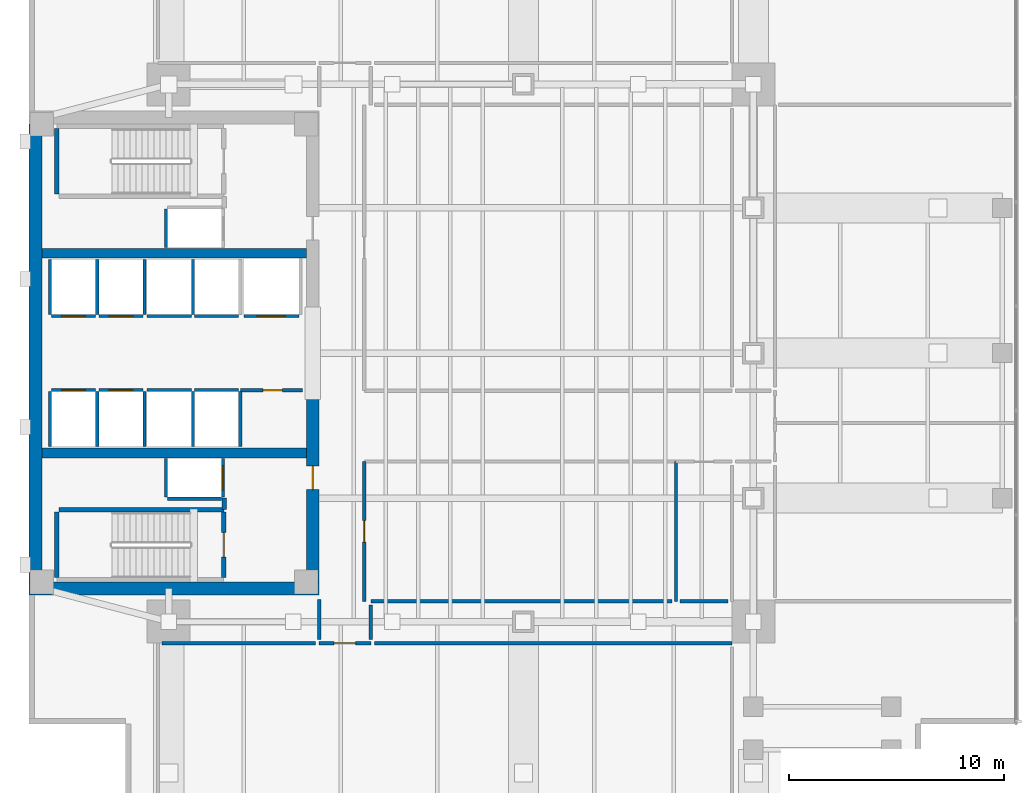
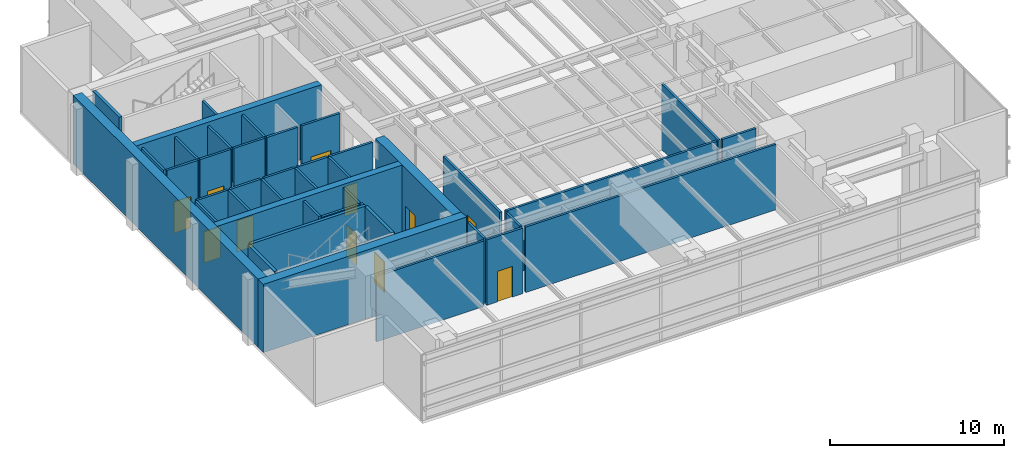
# One storey, part 8 of 14: 42 walls, 11 doors, 11 openings.
"""IFC4 building model written with IfcOpenShell, lengths in metres."""

from ifc_helpers import new_model, si_unit, direction, frame, frame_2d, origin, place, context, subcontext, project, spatial, rectangle, extrude, material, layer, layer_set, type_object, element, fill, save


model = new_model("IFC4")

# Units and contexts
model_context = context("Model", 3, precision=1e-05, world=origin(), true_north=direction((0.0, 1.0)))
body_context = subcontext(model_context, "Body", "Model", "MODEL_VIEW")
ifc_project = project(units=[si_unit("LENGTHUNIT", "METRE"), si_unit("AREAUNIT", "SQUARE_METRE"), si_unit("VOLUMEUNIT", "CUBIC_METRE"), si_unit("PLANEANGLEUNIT", "RADIAN"), si_unit("MASSUNIT", "GRAM", prefix="KILO")], contexts=[model_context])

# Site, building, storey
site_placement = place(None, origin())
site = spatial("IfcSite", under=ifc_project, at=site_placement, CompositionType="ELEMENT")
building_placement = place(site_placement, origin())
building = spatial("IfcBuilding", under=site, at=building_placement, Name="Kinhvarn Gate Tower", CompositionType="ELEMENT")
storey_placement = place(building_placement, frame((0.0, 0.0, 173.25)))
storey = spatial("IfcBuildingStorey", under=building, at=storey_placement, Name="L46", CompositionType="ELEMENT", Elevation=173.25)

# Walls
ifc_material_1 = material(Name="Concrete C50/60", Category="concrete")
ifc_layer_1 = layer(ifc_material_1, 0.449951171875)
ifc_layer_set_1 = layer_set([ifc_layer_1], Name="Concrete C50/60")
wall_type_1 = type_object("IfcWallType", Name="WL-CORE-450", PredefinedType="SHEAR", material=ifc_layer_set_1)
for number, where, z_axis, x_axis, name in (
    (1, (5.10009765625, 20.60009765625, 0.0), (0.0, 0.0, 1.0), (1.0, 0.0, 0.0), "Core South Spine Shear Wall L46 450 mm"),
    (2, (5.10009765625, 29.89990234375, 0.0), (0.0, 0.0, 1.0), (1.0, 0.0, 0.0), "Core North Spine Shear Wall L46 450 mm"),
):
    element("IfcWall", number, at=place(storey_placement, frame(where, z_axis=z_axis, x_axis=x_axis)), inside=storey, type_object=wall_type_1, Name=name, PredefinedType="SHEAR", context=body_context, shape_type="SweptSolid", body=[
        extrude(rectangle(XDim=12.2998046875, YDim=0.449951171875, at=frame_2d((6.14990234375, 0.0))), origin(), (0.0, 0.0, 1.0), 4.800048828125),
    ])
ifc_material_2 = material(Name="Concrete C60/75", Category="concrete")
ifc_layer_2 = layer(ifc_material_2, 0.60009765625)
ifc_layer_set_2 = layer_set([ifc_layer_2], Name="Concrete C60/75")
wall_type_2 = type_object("IfcWallType", Name="WL-CORE-600", PredefinedType="SHEAR", material=ifc_layer_set_2)
wall_1_placement = place(storey_placement, frame((4.5, 14.300048828125, 0.0), z_axis=(0.0, 0.0, 1.0), x_axis=(1.0, 0.0, 0.0)))
element("IfcWall", 3, at=wall_1_placement, inside=storey, type_object=wall_type_2, Name="Core South Shear Wall L46 600 mm", PredefinedType="SHEAR", context=body_context, shape_type="SweptSolid", body=[
    extrude(rectangle(XDim=13.5, YDim=0.60009765625, at=frame_2d((6.75, 0.0))), origin(), (0.0, 0.0, 1.0), 4.800048828125),
])

# Wall, opening, door
wall_2_placement = place(storey_placement, frame((17.699951171875, 14.60009765625, 0.0), z_axis=(0.0, 0.0, 1.0), x_axis=(0.0, 1.0, 0.0)))
wall_2 = element("IfcWall", 4, at=wall_2_placement, inside=storey, type_object=wall_type_2, Name="Core East-South Shear Pier L46 600 mm", PredefinedType="SHEAR", context=body_context, shape_type="SweptSolid", body=[
    extrude(rectangle(XDim=8.849853515625, YDim=0.60009765625, at=frame_2d((4.4248046875, 0.0))), origin(), (0.0, 0.0, 1.0), 4.800048828125),
])
opening_1_placement = place(wall_2_placement, frame((4.300048828125, 0.0, 0.0)))
opening_1 = element("IfcOpeningElement", 5, at=opening_1_placement, cuts=wall_2, Name="Opening FD-02", PredefinedType="OPENING", context=body_context, shape_type="SweptSolid", body=[
    extrude(rectangle(XDim=1.10009765625, YDim=2.14990234375, at=frame_2d((0.550048828125, 1.074951171875))), frame((0.0, 0.31005859375, 0.0), z_axis=(0.0, -1.0, 0.0), x_axis=(1.0, 0.0, 0.0)), (0.0, 0.0, 1.0), 0.6201171875),
])
ifc_material_3 = material(Name="Anodised aluminium AW-6063", Category="aluminium")
door_type_1 = type_object("IfcDoorType", Name="DR-FD-1100", OperationType="NOTDEFINED", PredefinedType="DOOR", material=ifc_material_3)
door_1_placement = place(opening_1_placement, origin())
door_1 = element("IfcDoor", 6, at=door_1_placement, inside=storey, type_object=door_type_1, Name="Firefighting Lobby Core Door (L46)", OperationType="SINGLE_SWING_RIGHT", OverallHeight=2.14990234375, OverallWidth=1.10009765625, PredefinedType="DOOR", context=body_context, shape_type="SweptSolid", body=[
    extrude(rectangle(XDim=1.10009765625, YDim=2.14990234375, at=frame_2d((0.550048828125, 1.074951171875))), frame((0.0, 0.02490234375, 0.0), z_axis=(0.0, -1.0, 0.0), x_axis=(1.0, 0.0, 0.0)), (0.0, 0.0, 1.0), 0.050048828125),
])
fill(opening_1, door_1)

# Walls
ifc_layer_3 = layer(ifc_material_2, 0.60009765625)
ifc_layer_set_3 = layer_set([ifc_layer_3], Name="Concrete C60/75")
wall_type_3 = type_object("IfcWallType", Name="WL-COREX-600", PredefinedType="SHEAR", material=ifc_layer_set_3)
wall_3_placement = place(storey_placement, frame((4.800048828125, 14.60009765625, 0.0), z_axis=(0.0, 0.0, 1.0), x_axis=(0.0, 1.0, 0.0)))
element("IfcWall", 7, at=wall_3_placement, inside=storey, type_object=wall_type_3, Name="Core West Shear Wall L46 600 mm", PredefinedType="SHEAR", context=body_context, shape_type="SweptSolid", body=[
    extrude(rectangle(XDim=21.2998046875, YDim=0.60009765625, at=frame_2d((10.64990234375, 0.0))), origin(), (0.0, 0.0, 1.0), 4.800048828125),
])
ifc_material_4 = material(Name="Gypsum acoustic partition board")
ifc_layer_4 = layer(ifc_material_4, 0.14990234375)
ifc_layer_set_4 = layer_set([ifc_layer_4], Name="Gypsum acoustic partition board")
wall_type_4 = type_object("IfcWallType", Name="WL-PLM-150", PredefinedType="PLUMBINGWALL", material=ifc_layer_set_4)
wall_4_placement = place(storey_placement, frame((34.60009765625, 13.699951171875, 0.0), z_axis=(0.0, 0.0, 1.0), x_axis=(0.0, 1.0, 0.0)))
element("IfcWall", 8, at=wall_4_placement, inside=storey, type_object=wall_type_4, Name="Interior Partition PLW-150 (L46)", PredefinedType="PLUMBINGWALL", context=body_context, shape_type="SweptSolid", body=[
    extrude(rectangle(XDim=6.5, YDim=0.14990234375, at=frame_2d((3.25, 0.0))), origin(), (0.0, 0.0, 1.0), 4.60009765625),
])

# Wall, opening, door
ifc_layer_5 = layer(ifc_material_4, 0.14990234375)
ifc_layer_set_5 = layer_set([ifc_layer_5], Name="Gypsum acoustic partition board")
wall_type_5 = type_object("IfcWallType", Name="WL-PRT-150F", PredefinedType="PARTITIONING", material=ifc_layer_set_5)
wall_5_placement = place(storey_placement, frame((14.330078125, 23.52001953125, 0.0), z_axis=(0.0, 0.0, 1.0), x_axis=(1.0, 0.0, 0.0)))
wall_5 = element("IfcWall", 9, at=wall_5_placement, inside=storey, type_object=wall_type_5, Name="Interior Partition PW-150F (L46)", PredefinedType="PARTITIONING", context=body_context, shape_type="SweptSolid", body=[
    extrude(rectangle(XDim=2.889892578125, YDim=0.14990234375, at=frame_2d((1.44482421875, 0.0))), origin(), (0.0, 0.0, 1.0), 4.60009765625),
])
opening_2_placement = place(wall_5_placement, frame((1.052734375, 0.0, 0.0)))
opening_2 = element("IfcOpeningElement", 10, at=opening_2_placement, cuts=wall_5, Name="Opening FD-04", PredefinedType="OPENING", context=body_context, shape_type="SweptSolid", body=[
    extrude(rectangle(XDim=0.89990234375, YDim=2.10009765625, at=frame_2d((0.449951171875, 1.050048828125))), frame((0.0, 0.0849609375, 0.0), z_axis=(0.0, -1.0, 0.0), x_axis=(1.0, 0.0, 0.0)), (0.0, 0.0, 1.0), 0.169921875),
])
door_type_2 = type_object("IfcDoorType", Name="DR-FD-900", OperationType="NOTDEFINED", PredefinedType="DOOR", material=ifc_material_3)
door_2_placement = place(opening_2_placement, origin())
door_2 = element("IfcDoor", 11, at=door_2_placement, inside=storey, type_object=door_type_2, Name="Rated Riser & Service Closet Fire Door 900x2100 mm (L46)", OperationType="SINGLE_SWING_RIGHT", OverallHeight=2.10009765625, OverallWidth=0.89990234375, PredefinedType="DOOR", context=body_context, shape_type="SweptSolid", body=[
    extrude(rectangle(XDim=0.89990234375, YDim=2.10009765625, at=frame_2d((0.449951171875, 1.050048828125))), frame((0.0, 0.02490234375, 0.0), z_axis=(0.0, -1.0, 0.0), x_axis=(1.0, 0.0, 0.0)), (0.0, 0.0, 1.0), 0.050048828125),
])
fill(opening_2, door_2)

wall_6_placement = place(storey_placement, frame((20.10009765625, 13.699951171875, 0.0), z_axis=(0.0, 0.0, 1.0), x_axis=(0.0, 1.0, 0.0)))
wall_6 = element("IfcWall", 12, at=wall_6_placement, inside=storey, type_object=wall_type_5, Name="Interior Partition PW-150F (L46)", PredefinedType="PARTITIONING", context=body_context, shape_type="SweptSolid", body=[
    extrude(rectangle(XDim=6.5, YDim=0.14990234375, at=frame_2d((3.25, 0.0))), origin(), (0.0, 0.0, 1.0), 4.60009765625),
])
opening_3_placement = place(wall_6_placement, frame((2.75, 0.0, 0.0)))
opening_3 = element("IfcOpeningElement", 13, at=opening_3_placement, cuts=wall_6, Name="Opening FD-03", PredefinedType="OPENING", context=body_context, shape_type="SweptSolid", body=[
    extrude(rectangle(XDim=1.0, YDim=2.14990234375, at=frame_2d((0.5, 1.074951171875))), frame((0.0, 0.0849609375, 0.0), z_axis=(0.0, -1.0, 0.0), x_axis=(1.0, 0.0, 0.0)), (0.0, 0.0, 1.0), 0.169921875),
])
door_type_3 = type_object("IfcDoorType", Name="DR-FD-1000", OperationType="NOTDEFINED", PredefinedType="DOOR", material=ifc_material_3)
door_3_placement = place(opening_3_placement, origin())
door_3 = element("IfcDoor", 14, at=door_3_placement, inside=storey, type_object=door_type_3, Name="Rated Plant & Corridor Fire Door 1000x2150 mm (L46)", OperationType="SINGLE_SWING_LEFT", OverallHeight=2.14990234375, OverallWidth=1.0, PredefinedType="DOOR", context=body_context, shape_type="SweptSolid", body=[
    extrude(rectangle(XDim=1.0, YDim=2.14990234375, at=frame_2d((0.5, 1.074951171875))), frame((0.0, 0.02490234375, 0.0), z_axis=(0.0, -1.0, 0.0), x_axis=(1.0, 0.0, 0.0)), (0.0, 0.0, 1.0), 0.050048828125),
])
fill(opening_3, door_3)

wall_7_placement = place(storey_placement, frame((18.0, 11.75, 0.0), z_axis=(0.0, 0.0, 1.0), x_axis=(1.0, 0.0, 0.0)))
wall_7 = element("IfcWall", 15, at=wall_7_placement, inside=storey, type_object=wall_type_5, Name="Interior Partition PW-150F (L46)", PredefinedType="PARTITIONING", context=body_context, shape_type="SweptSolid", body=[
    extrude(rectangle(XDim=2.39990234375, YDim=0.14990234375, at=frame_2d((1.199951171875, 0.0))), origin(), (0.0, 0.0, 1.0), 4.60009765625),
])
opening_4_placement = place(wall_7_placement, frame((0.699951171875, 0.0, 0.0)))
opening_4 = element("IfcOpeningElement", 16, at=opening_4_placement, cuts=wall_7, Name="Opening FD-03", PredefinedType="OPENING", context=body_context, shape_type="SweptSolid", body=[
    extrude(rectangle(XDim=1.0, YDim=2.14990234375, at=frame_2d((0.5, 1.074951171875))), frame((0.0, 0.0849609375, 0.0), z_axis=(0.0, -1.0, 0.0), x_axis=(1.0, 0.0, 0.0)), (0.0, 0.0, 1.0), 0.169921875),
])
door_4_placement = place(opening_4_placement, origin())
door_4 = element("IfcDoor", 17, at=door_4_placement, inside=storey, type_object=door_type_3, Name="Rated Plant & Corridor Fire Door 1000x2150 mm (L46)", OperationType="SINGLE_SWING_LEFT", OverallHeight=2.14990234375, OverallWidth=1.0, PredefinedType="DOOR", context=body_context, shape_type="SweptSolid", body=[
    extrude(rectangle(XDim=1.0, YDim=2.14990234375, at=frame_2d((0.5, 1.074951171875))), frame((0.0, 0.02490234375, 0.0), z_axis=(0.0, -1.0, 0.0), x_axis=(1.0, 0.0, 0.0)), (0.0, 0.0, 1.0), 0.050048828125),
])
fill(opening_4, door_4)

# Walls
wall_8_placement = place(storey_placement, frame((37.02001953125, 13.699951171875, 0.0), z_axis=(0.0, 0.0, 1.0), x_axis=(-1.0, 0.0, 0.0)))
element("IfcWall", 18, at=wall_8_placement, inside=storey, type_object=wall_type_5, Name="Interior Partition PW-150F (L46)", PredefinedType="PARTITIONING", context=body_context, shape_type="SweptSolid", body=[
    extrude(rectangle(XDim=2.239990234375, YDim=0.14990234375, at=frame_2d((1.1201171875, 0.0))), origin(), (0.0, 0.0, 1.0), 4.60009765625),
])
wall_9_placement = place(storey_placement, frame((34.419921875, 13.699951171875, 0.0), z_axis=(0.0, 0.0, 1.0), x_axis=(-1.0, 0.0, 0.0)))
element("IfcWall", 19, at=wall_9_placement, inside=storey, type_object=wall_type_5, Name="Interior Partition PW-150F (L46)", PredefinedType="PARTITIONING", context=body_context, shape_type="SweptSolid", body=[
    extrude(rectangle(XDim=14.02001953125, YDim=0.14990234375, at=frame_2d((7.010009765625, 0.0))), origin(), (0.0, 0.0, 1.0), 4.60009765625),
])
wall_10_placement = place(storey_placement, frame((20.39990234375, 13.52001953125, 0.0), z_axis=(0.0, 0.0, 1.0), x_axis=(0.0, -1.0, 0.0)))
element("IfcWall", 20, at=wall_10_placement, inside=storey, type_object=wall_type_5, Name="Interior Partition PW-150F (L46)", PredefinedType="PARTITIONING", context=body_context, shape_type="SweptSolid", body=[
    extrude(rectangle(XDim=1.590087890625, YDim=0.14990234375, at=frame_2d((0.794921875, 0.0))), origin(), (0.0, 0.0, 1.0), 4.60009765625),
])
wall_11_placement = place(storey_placement, frame((20.580078125, 11.75, 0.0), z_axis=(0.0, 0.0, 1.0), x_axis=(1.0, 0.0, 0.0)))
element("IfcWall", 21, at=wall_11_placement, inside=storey, type_object=wall_type_5, Name="Interior Partition PW-150F (L46)", PredefinedType="PARTITIONING", context=body_context, shape_type="SweptSolid", body=[
    extrude(rectangle(XDim=16.619873046875, YDim=0.14990234375, at=frame_2d((8.31005859375, 0.0))), origin(), (0.0, 0.0, 1.0), 4.60009765625),
])
wall_12_placement = place(storey_placement, frame((10.679931640625, 11.75, 0.0), z_axis=(0.0, 0.0, 1.0), x_axis=(1.0, 0.0, 0.0)))
element("IfcWall", 22, at=wall_12_placement, inside=storey, type_object=wall_type_5, Name="Interior Partition PW-150F (L46)", PredefinedType="PARTITIONING", context=body_context, shape_type="SweptSolid", body=[
    extrude(rectangle(XDim=7.14013671875, YDim=0.14990234375, at=frame_2d((3.570068359375, 0.0))), origin(), (0.0, 0.0, 1.0), 4.60009765625),
])
wall_13_placement = place(storey_placement, frame((18.0, 11.929931640625, 0.0), z_axis=(0.0, 0.0, 1.0), x_axis=(0.0, 1.0, 0.0)))
element("IfcWall", 23, at=wall_13_placement, inside=storey, type_object=wall_type_5, Name="Interior Partition PW-150F (L46)", PredefinedType="PARTITIONING", context=body_context, shape_type="SweptSolid", body=[
    extrude(rectangle(XDim=1.85009765625, YDim=0.14990234375, at=frame_2d((0.925048828125, 0.0))), origin(), (0.0, 0.0, 1.0), 4.60009765625),
])
ifc_layer_6 = layer(ifc_material_4, 0.199951171875)
ifc_layer_set_6 = layer_set([ifc_layer_6], Name="Gypsum acoustic partition board")
wall_type_6 = type_object("IfcWallType", Name="WL-PRT-200", PredefinedType="PARTITIONING", material=ifc_layer_set_6)
wall_14_placement = place(storey_placement, frame((13.580078125, 17.9599609375, 0.0), z_axis=(0.0, 0.0, 1.0), x_axis=(0.0, 1.0, 0.0)))
element("IfcWall", 24, at=wall_14_placement, inside=storey, type_object=wall_type_6, Name="Interior Partition PW-200 (L46)", PredefinedType="PARTITIONING", context=body_context, shape_type="SweptSolid", body=[
    extrude(rectangle(XDim=0.5400390625, YDim=0.199951171875, at=frame_2d((0.27001953125, 0.0))), origin(), (0.0, 0.0, 1.0), 4.60009765625),
])

# Wall, opening, door
ifc_layer_7 = layer(ifc_material_4, 0.14990234375)
ifc_layer_set_7 = layer_set([ifc_layer_7], Name="Gypsum acoustic partition board")
wall_type_7 = type_object("IfcWallType", Name="WL-SHF-150", PredefinedType="PARTITIONING", material=ifc_layer_set_7)
wall_15_placement = place(storey_placement, frame((5.550048828125, 23.52490234375, 0.0), z_axis=(0.0, 0.0, 1.0), x_axis=(1.0, 0.0, 0.0)))
wall_15 = element("IfcWall", 25, at=wall_15_placement, inside=storey, type_object=wall_type_7, Name="Elevator PM-05 Landing Wall (L46)", PredefinedType="PARTITIONING", context=body_context, shape_type="SweptSolid", body=[
    extrude(rectangle(XDim=2.050048828125, YDim=0.14990234375, at=frame_2d((1.02490234375, 0.0))), origin(), (0.0, 0.0, 1.0), 4.60009765625),
])
opening_5_placement = place(wall_15_placement, frame((0.47509765625, 0.0, 0.0)))
opening_5 = element("IfcOpeningElement", 26, at=opening_5_placement, cuts=wall_15, Name="Opening LD-01", PredefinedType="OPENING", context=body_context, shape_type="SweptSolid", body=[
    extrude(rectangle(XDim=1.10009765625, YDim=2.199951171875, at=frame_2d((0.550048828125, 1.10009765625))), frame((0.0, 0.0849609375, 0.0), z_axis=(0.0, -1.0, 0.0), x_axis=(1.0, 0.0, 0.0)), (0.0, 0.0, 1.0), 0.169921875),
])
door_type_4 = type_object("IfcDoorType", Name="DR-LND-PAS", OperationType="NOTDEFINED", PredefinedType="DOOR", material=ifc_material_3)
door_5_placement = place(opening_5_placement, origin())
door_5 = element("IfcDoor", 27, at=door_5_placement, inside=storey, type_object=door_type_4, Name="Elevator PM-05 Sliding Landing Door (L46)", OperationType="DOUBLE_DOOR_SLIDING", OverallHeight=2.199951171875, OverallWidth=1.10009765625, PredefinedType="DOOR", context=body_context, shape_type="SweptSolid", body=[
    extrude(rectangle(XDim=1.10009765625, YDim=2.199951171875, at=frame_2d((0.550048828125, 1.10009765625))), frame((0.0, 0.02490234375, 0.0), z_axis=(0.0, -1.0, 0.0), x_axis=(1.0, 0.0, 0.0)), (0.0, 0.0, 1.0), 0.050048828125),
])
fill(opening_5, door_5)

# Walls
for number, where, z_axis, x_axis, name in (
    (28, (5.47509765625, 20.89990234375, 0.0), (0.0, 0.0, 1.0), (0.0, 1.0, 0.0), "Elevator PM-05 Hoistway Wall W (L46)"),
    (29, (7.675048828125, 20.89990234375, 0.0), (0.0, 0.0, 1.0), (0.0, 1.0, 0.0), "Elevator PM-05 Hoistway Wall E (L46)"),
):
    element("IfcWall", number, at=place(storey_placement, frame(where, z_axis=z_axis, x_axis=x_axis)), inside=storey, type_object=wall_type_7, Name=name, PredefinedType="PARTITIONING", context=body_context, shape_type="SweptSolid", body=[
        extrude(rectangle(XDim=2.550048828125, YDim=0.14990234375, at=frame_2d((1.27490234375, 0.0))), origin(), (0.0, 0.0, 1.0), 4.60009765625),
    ])

# Wall, opening, door
wall_16_placement = place(storey_placement, frame((7.75, 23.52490234375, 0.0), z_axis=(0.0, 0.0, 1.0), x_axis=(1.0, 0.0, 0.0)))
wall_16 = element("IfcWall", 30, at=wall_16_placement, inside=storey, type_object=wall_type_7, Name="Elevator PM-06 Landing Wall (L46)", PredefinedType="PARTITIONING", context=body_context, shape_type="SweptSolid", body=[
    extrude(rectangle(XDim=2.050048828125, YDim=0.14990234375, at=frame_2d((1.02490234375, 0.0))), origin(), (0.0, 0.0, 1.0), 4.60009765625),
])
opening_6_placement = place(wall_16_placement, frame((0.47509765625, 0.0, 0.0)))
opening_6 = element("IfcOpeningElement", 31, at=opening_6_placement, cuts=wall_16, Name="Opening LD-01", PredefinedType="OPENING", context=body_context, shape_type="SweptSolid", body=[
    extrude(rectangle(XDim=1.10009765625, YDim=2.199951171875, at=frame_2d((0.550048828125, 1.10009765625))), frame((0.0, 0.0849609375, 0.0), z_axis=(0.0, -1.0, 0.0), x_axis=(1.0, 0.0, 0.0)), (0.0, 0.0, 1.0), 0.169921875),
])
door_6_placement = place(opening_6_placement, origin())
door_6 = element("IfcDoor", 32, at=door_6_placement, inside=storey, type_object=door_type_4, Name="Elevator PM-06 Sliding Landing Door (L46)", OperationType="DOUBLE_DOOR_SLIDING", OverallHeight=2.199951171875, OverallWidth=1.10009765625, PredefinedType="DOOR", context=body_context, shape_type="SweptSolid", body=[
    extrude(rectangle(XDim=1.10009765625, YDim=2.199951171875, at=frame_2d((0.550048828125, 1.10009765625))), frame((0.0, 0.02490234375, 0.0), z_axis=(0.0, -1.0, 0.0), x_axis=(1.0, 0.0, 0.0)), (0.0, 0.0, 1.0), 0.050048828125),
])
fill(opening_6, door_6)

# Wall
wall_17_placement = place(storey_placement, frame((9.875, 20.89990234375, 0.0), z_axis=(0.0, 0.0, 1.0), x_axis=(0.0, 1.0, 0.0)))
element("IfcWall", 33, at=wall_17_placement, inside=storey, type_object=wall_type_7, Name="Elevator PM-06 Hoistway Wall E (L46)", PredefinedType="PARTITIONING", context=body_context, shape_type="SweptSolid", body=[
    extrude(rectangle(XDim=2.550048828125, YDim=0.14990234375, at=frame_2d((1.27490234375, 0.0))), origin(), (0.0, 0.0, 1.0), 4.60009765625),
])

# Wall, opening, door
wall_18_placement = place(storey_placement, frame((5.550048828125, 26.97509765625, 0.0), z_axis=(0.0, 0.0, 1.0), x_axis=(1.0, 0.0, 0.0)))
wall_18 = element("IfcWall", 34, at=wall_18_placement, inside=storey, type_object=wall_type_7, Name="Elevator PM-07 Landing Wall (L46)", PredefinedType="PARTITIONING", context=body_context, shape_type="SweptSolid", body=[
    extrude(rectangle(XDim=2.050048828125, YDim=0.14990234375, at=frame_2d((1.02490234375, 0.0))), origin(), (0.0, 0.0, 1.0), 4.60009765625),
])
opening_7_placement = place(wall_18_placement, frame((0.47509765625, 0.0, 0.0)))
opening_7 = element("IfcOpeningElement", 35, at=opening_7_placement, cuts=wall_18, Name="Opening LD-01", PredefinedType="OPENING", context=body_context, shape_type="SweptSolid", body=[
    extrude(rectangle(XDim=1.10009765625, YDim=2.199951171875, at=frame_2d((0.550048828125, 1.10009765625))), frame((0.0, 0.0849609375, 0.0), z_axis=(0.0, -1.0, 0.0), x_axis=(1.0, 0.0, 0.0)), (0.0, 0.0, 1.0), 0.169921875),
])
door_7_placement = place(opening_7_placement, origin())
door_7 = element("IfcDoor", 36, at=door_7_placement, inside=storey, type_object=door_type_4, Name="Elevator PM-07 Sliding Landing Door (L46)", OperationType="DOUBLE_DOOR_SLIDING", OverallHeight=2.199951171875, OverallWidth=1.10009765625, PredefinedType="DOOR", context=body_context, shape_type="SweptSolid", body=[
    extrude(rectangle(XDim=1.10009765625, YDim=2.199951171875, at=frame_2d((0.550048828125, 1.10009765625))), frame((0.0, 0.02490234375, 0.0), z_axis=(0.0, -1.0, 0.0), x_axis=(1.0, 0.0, 0.0)), (0.0, 0.0, 1.0), 0.050048828125),
])
fill(opening_7, door_7)

# Walls
for number, where, z_axis, x_axis, name in (
    (37, (5.47509765625, 27.050048828125, 0.0), (0.0, 0.0, 1.0), (0.0, 1.0, 0.0), "Elevator PM-07 Hoistway Wall W (L46)"),
    (38, (7.675048828125, 27.050048828125, 0.0), (0.0, 0.0, 1.0), (0.0, 1.0, 0.0), "Elevator PM-07 Hoistway Wall E (L46)"),
):
    element("IfcWall", number, at=place(storey_placement, frame(where, z_axis=z_axis, x_axis=x_axis)), inside=storey, type_object=wall_type_7, Name=name, PredefinedType="PARTITIONING", context=body_context, shape_type="SweptSolid", body=[
        extrude(rectangle(XDim=2.550048828125, YDim=0.14990234375, at=frame_2d((1.27490234375, 0.0))), origin(), (0.0, 0.0, 1.0), 4.60009765625),
    ])

# Wall, opening, door
wall_19_placement = place(storey_placement, frame((7.75, 26.97509765625, 0.0), z_axis=(0.0, 0.0, 1.0), x_axis=(1.0, 0.0, 0.0)))
wall_19 = element("IfcWall", 39, at=wall_19_placement, inside=storey, type_object=wall_type_7, Name="Elevator PM-08 Landing Wall (L46)", PredefinedType="PARTITIONING", context=body_context, shape_type="SweptSolid", body=[
    extrude(rectangle(XDim=2.050048828125, YDim=0.14990234375, at=frame_2d((1.02490234375, 0.0))), origin(), (0.0, 0.0, 1.0), 4.60009765625),
])
opening_8_placement = place(wall_19_placement, frame((0.47509765625, 0.0, 0.0)))
opening_8 = element("IfcOpeningElement", 40, at=opening_8_placement, cuts=wall_19, Name="Opening LD-01", PredefinedType="OPENING", context=body_context, shape_type="SweptSolid", body=[
    extrude(rectangle(XDim=1.10009765625, YDim=2.199951171875, at=frame_2d((0.550048828125, 1.10009765625))), frame((0.0, 0.0849609375, 0.0), z_axis=(0.0, -1.0, 0.0), x_axis=(1.0, 0.0, 0.0)), (0.0, 0.0, 1.0), 0.169921875),
])
door_8_placement = place(opening_8_placement, origin())
door_8 = element("IfcDoor", 41, at=door_8_placement, inside=storey, type_object=door_type_4, Name="Elevator PM-08 Sliding Landing Door (L46)", OperationType="DOUBLE_DOOR_SLIDING", OverallHeight=2.199951171875, OverallWidth=1.10009765625, PredefinedType="DOOR", context=body_context, shape_type="SweptSolid", body=[
    extrude(rectangle(XDim=1.10009765625, YDim=2.199951171875, at=frame_2d((0.550048828125, 1.10009765625))), frame((0.0, 0.02490234375, 0.0), z_axis=(0.0, -1.0, 0.0), x_axis=(1.0, 0.0, 0.0)), (0.0, 0.0, 1.0), 0.050048828125),
])
fill(opening_8, door_8)

# Walls
wall_20_placement = place(storey_placement, frame((9.875, 27.050048828125, 0.0), z_axis=(0.0, 0.0, 1.0), x_axis=(0.0, 1.0, 0.0)))
element("IfcWall", 42, at=wall_20_placement, inside=storey, type_object=wall_type_7, Name="Elevator PM-08 Hoistway Wall E (L46)", PredefinedType="PARTITIONING", context=body_context, shape_type="SweptSolid", body=[
    extrude(rectangle(XDim=2.550048828125, YDim=0.14990234375, at=frame_2d((1.27490234375, 0.0))), origin(), (0.0, 0.0, 1.0), 4.60009765625),
])
wall_21_placement = place(storey_placement, frame((10.0, 23.52490234375, 0.0), z_axis=(0.0, 0.0, 1.0), x_axis=(1.0, 0.0, 0.0)))
element("IfcWall", 43, at=wall_21_placement, inside=storey, type_object=wall_type_7, Name="Elevator PH-09 Landing Wall (L46)", PredefinedType="PARTITIONING", context=body_context, shape_type="SweptSolid", body=[
    extrude(rectangle(XDim=2.050048828125, YDim=0.14990234375, at=frame_2d((1.02490234375, 0.0))), origin(), (0.0, 0.0, 1.0), 4.60009765625),
])
wall_22_placement = place(storey_placement, frame((12.125, 20.89990234375, 0.0), z_axis=(0.0, 0.0, 1.0), x_axis=(0.0, 1.0, 0.0)))
element("IfcWall", 44, at=wall_22_placement, inside=storey, type_object=wall_type_7, Name="Elevator PH-09 Hoistway Wall E (L46)", PredefinedType="PARTITIONING", context=body_context, shape_type="SweptSolid", body=[
    extrude(rectangle(XDim=2.550048828125, YDim=0.14990234375, at=frame_2d((1.27490234375, 0.0))), origin(), (0.0, 0.0, 1.0), 4.60009765625),
])
wall_23_placement = place(storey_placement, frame((12.199951171875, 23.52490234375, 0.0), z_axis=(0.0, 0.0, 1.0), x_axis=(1.0, 0.0, 0.0)))
element("IfcWall", 45, at=wall_23_placement, inside=storey, type_object=wall_type_7, Name="Elevator PH-10 Landing Wall (L46)", PredefinedType="PARTITIONING", context=body_context, shape_type="SweptSolid", body=[
    extrude(rectangle(XDim=2.050048828125, YDim=0.14990234375, at=frame_2d((1.02490234375, 0.0))), origin(), (0.0, 0.0, 1.0), 4.60009765625),
])
wall_24_placement = place(storey_placement, frame((14.324951171875, 20.89990234375, 0.0), z_axis=(0.0, 0.0, 1.0), x_axis=(0.0, 1.0, 0.0)))
element("IfcWall", 46, at=wall_24_placement, inside=storey, type_object=wall_type_7, Name="Elevator PH-10 Hoistway Wall E (L46)", PredefinedType="PARTITIONING", context=body_context, shape_type="SweptSolid", body=[
    extrude(rectangle(XDim=2.550048828125, YDim=0.14990234375, at=frame_2d((1.27490234375, 0.0))), origin(), (0.0, 0.0, 1.0), 4.60009765625),
])
wall_25_placement = place(storey_placement, frame((10.0, 26.97509765625, 0.0), z_axis=(0.0, 0.0, 1.0), x_axis=(1.0, 0.0, 0.0)))
element("IfcWall", 47, at=wall_25_placement, inside=storey, type_object=wall_type_7, Name="Elevator PH-11 Landing Wall (L46)", PredefinedType="PARTITIONING", context=body_context, shape_type="SweptSolid", body=[
    extrude(rectangle(XDim=2.050048828125, YDim=0.14990234375, at=frame_2d((1.02490234375, 0.0))), origin(), (0.0, 0.0, 1.0), 4.60009765625),
])
wall_26_placement = place(storey_placement, frame((12.125, 27.050048828125, 0.0), z_axis=(0.0, 0.0, 1.0), x_axis=(0.0, 1.0, 0.0)))
element("IfcWall", 48, at=wall_26_placement, inside=storey, type_object=wall_type_7, Name="Elevator PH-11 Hoistway Wall E (L46)", PredefinedType="PARTITIONING", context=body_context, shape_type="SweptSolid", body=[
    extrude(rectangle(XDim=2.550048828125, YDim=0.14990234375, at=frame_2d((1.27490234375, 0.0))), origin(), (0.0, 0.0, 1.0), 4.60009765625),
])
wall_27_placement = place(storey_placement, frame((12.199951171875, 26.97509765625, 0.0), z_axis=(0.0, 0.0, 1.0), x_axis=(1.0, 0.0, 0.0)))
element("IfcWall", 49, at=wall_27_placement, inside=storey, type_object=wall_type_7, Name="Elevator PH-12 Landing Wall (L46)", PredefinedType="PARTITIONING", context=body_context, shape_type="SweptSolid", body=[
    extrude(rectangle(XDim=2.050048828125, YDim=0.14990234375, at=frame_2d((1.02490234375, 0.0))), origin(), (0.0, 0.0, 1.0), 4.60009765625),
])

# Wall, opening, door
wall_28_placement = place(storey_placement, frame((14.5, 26.97509765625, 0.0), z_axis=(0.0, 0.0, 1.0), x_axis=(1.0, 0.0, 0.0)))
wall_28 = element("IfcWall", 50, at=wall_28_placement, inside=storey, type_object=wall_type_7, Name="Elevator SV-01 Landing Wall (L46)", PredefinedType="PARTITIONING", context=body_context, shape_type="SweptSolid", body=[
    extrude(rectangle(XDim=2.550048828125, YDim=0.14990234375, at=frame_2d((1.27490234375, 0.0))), origin(), (0.0, 0.0, 1.0), 4.60009765625),
])
opening_9_placement = place(wall_28_placement, frame((0.625, 0.0, 0.0)))
opening_9 = element("IfcOpeningElement", 51, at=opening_9_placement, cuts=wall_28, Name="Opening LD-02", PredefinedType="OPENING", context=body_context, shape_type="SweptSolid", body=[
    extrude(rectangle(XDim=1.300048828125, YDim=2.199951171875, at=frame_2d((0.64990234375, 1.10009765625))), frame((0.0, 0.0849609375, 0.0), z_axis=(0.0, -1.0, 0.0), x_axis=(1.0, 0.0, 0.0)), (0.0, 0.0, 1.0), 0.169921875),
])
door_type_5 = type_object("IfcDoorType", Name="DR-LND-SRV", OperationType="NOTDEFINED", PredefinedType="DOOR", material=ifc_material_3)
door_9_placement = place(opening_9_placement, origin())
door_9 = element("IfcDoor", 52, at=door_9_placement, inside=storey, type_object=door_type_5, Name="Elevator SV-01 Sliding Landing Door (L46)", OperationType="DOUBLE_DOOR_SLIDING", OverallHeight=2.199951171875, OverallWidth=1.300048828125, PredefinedType="DOOR", context=body_context, shape_type="SweptSolid", body=[
    extrude(rectangle(XDim=1.300048828125, YDim=2.199951171875, at=frame_2d((0.64990234375, 1.10009765625))), frame((0.0, 0.02490234375, 0.0), z_axis=(0.0, -1.0, 0.0), x_axis=(1.0, 0.0, 0.0)), (0.0, 0.0, 1.0), 0.050048828125),
])
fill(opening_9, door_9)

# Walls
wall_29_placement = place(storey_placement, frame((10.949951171875, 18.47509765625, 0.0), z_axis=(0.0, 0.0, 1.0), x_axis=(1.0, 0.0, 0.0)))
element("IfcWall", 53, at=wall_29_placement, inside=storey, type_object=wall_type_7, Name="Elevator FF1 Hoistway Wall S (L46)", PredefinedType="PARTITIONING", context=body_context, shape_type="SweptSolid", body=[
    extrude(rectangle(XDim=2.5, YDim=0.14990234375, at=frame_2d((1.25, 0.0))), origin(), (0.0, 0.0, 1.0), 4.60009765625),
])
wall_30_placement = place(storey_placement, frame((10.875, 18.550048828125, 0.0), z_axis=(0.0, 0.0, 1.0), x_axis=(0.0, 1.0, 0.0)))
element("IfcWall", 54, at=wall_30_placement, inside=storey, type_object=wall_type_7, Name="Elevator FF1 Hoistway Wall W (L46)", PredefinedType="PARTITIONING", context=body_context, shape_type="SweptSolid", body=[
    extrude(rectangle(XDim=1.800048828125, YDim=0.14990234375, at=frame_2d((0.89990234375, 0.0))), origin(), (0.0, 0.0, 1.0), 4.60009765625),
])

# Wall, opening, door
wall_31_placement = place(storey_placement, frame((13.52490234375, 18.550048828125, 0.0), z_axis=(0.0, 0.0, 1.0), x_axis=(0.0, 1.0, 0.0)))
wall_31 = element("IfcWall", 55, at=wall_31_placement, inside=storey, type_object=wall_type_7, Name="Elevator FF1 Landing Wall (L46)", PredefinedType="PARTITIONING", context=body_context, shape_type="SweptSolid", body=[
    extrude(rectangle(XDim=1.800048828125, YDim=0.14990234375, at=frame_2d((0.89990234375, 0.0))), origin(), (0.0, 0.0, 1.0), 4.60009765625),
])
opening_10_placement = place(wall_31_placement, frame((0.35009765625, 0.0, 0.0)))
opening_10 = element("IfcOpeningElement", 56, at=opening_10_placement, cuts=wall_31, Name="Opening LD-03", PredefinedType="OPENING", context=body_context, shape_type="SweptSolid", body=[
    extrude(rectangle(XDim=1.10009765625, YDim=2.199951171875, at=frame_2d((0.550048828125, 1.10009765625))), frame((0.0, 0.0849609375, 0.0), z_axis=(0.0, -1.0, 0.0), x_axis=(1.0, 0.0, 0.0)), (0.0, 0.0, 1.0), 0.169921875),
])
door_type_6 = type_object("IfcDoorType", Name="DR-LND-FF", OperationType="NOTDEFINED", PredefinedType="DOOR", material=ifc_material_3)
door_10_placement = place(opening_10_placement, origin())
door_10 = element("IfcDoor", 57, at=door_10_placement, inside=storey, type_object=door_type_6, Name="Elevator FF1 Sliding Landing Door (L46)", OperationType="DOUBLE_DOOR_SLIDING", OverallHeight=2.199951171875, OverallWidth=1.10009765625, PredefinedType="DOOR", context=body_context, shape_type="SweptSolid", body=[
    extrude(rectangle(XDim=1.10009765625, YDim=2.199951171875, at=frame_2d((0.550048828125, 1.10009765625))), frame((0.0, 0.02490234375, 0.0), z_axis=(0.0, -1.0, 0.0), x_axis=(1.0, 0.0, 0.0)), (0.0, 0.0, 1.0), 0.050048828125),
])
fill(opening_10, door_10)

# Walls
wall_32_placement = place(storey_placement, frame((10.875, 30.14990234375, 0.0), z_axis=(0.0, 0.0, 1.0), x_axis=(0.0, 1.0, 0.0)))
element("IfcWall", 58, at=wall_32_placement, inside=storey, type_object=wall_type_7, Name="Elevator FF2 Hoistway Wall W (L46)", PredefinedType="PARTITIONING", context=body_context, shape_type="SweptSolid", body=[
    extrude(rectangle(XDim=1.800048828125, YDim=0.14990234375, at=frame_2d((0.89990234375, 0.0))), origin(), (0.0, 0.0, 1.0), 4.60009765625),
])
ifc_material_5 = material(Name="Concrete C40/50", Category="concrete")
ifc_layer_8 = layer(ifc_material_5, 0.199951171875)
ifc_layer_set_8 = layer_set([ifc_layer_8], Name="Concrete C40/50")
wall_type_8 = type_object("IfcWallType", Name="WL-SHF-200", PredefinedType="SOLIDWALL", material=ifc_layer_set_8)
wall_33_placement = place(storey_placement, frame((5.7900390625, 14.800048828125, 0.0), z_axis=(0.0, 0.0, 1.0), x_axis=(0.0, 1.0, 0.0)))
element("IfcWall", 59, at=wall_33_placement, inside=storey, type_object=wall_type_8, Name="Stair ST1 West Shaft Wall (L46)", PredefinedType="SOLIDWALL", context=body_context, shape_type="SweptSolid", body=[
    extrude(rectangle(XDim=3.050048828125, YDim=0.199951171875, at=frame_2d((1.52490234375, 0.0))), origin(), (0.0, 0.0, 1.0), 4.800048828125),
])
wall_34_placement = place(storey_placement, frame((5.89990234375, 17.9599609375, 0.0), z_axis=(0.0, 0.0, 1.0), x_axis=(1.0, 0.0, 0.0)))
element("IfcWall", 60, at=wall_34_placement, inside=storey, type_object=wall_type_8, Name="Stair ST1 North Shaft Wall (L46)", PredefinedType="SOLIDWALL", context=body_context, shape_type="SweptSolid", body=[
    extrude(rectangle(XDim=7.66015625, YDim=0.199951171875, at=frame_2d((3.830078125, 0.0))), origin(), (0.0, 0.0, 1.0), 4.800048828125),
])

# Wall, opening, door
wall_35_placement = place(storey_placement, frame((13.56005859375, 14.800048828125, 0.0), z_axis=(0.0, 0.0, 1.0), x_axis=(0.0, 1.0, 0.0)))
wall_35 = element("IfcWall", 61, at=wall_35_placement, inside=storey, type_object=wall_type_8, Name="Stair ST1 East Entry Wall (L46)", PredefinedType="SOLIDWALL", context=body_context, shape_type="SweptSolid", body=[
    extrude(rectangle(XDim=3.050048828125, YDim=0.199951171875, at=frame_2d((1.52490234375, 0.0))), origin(), (0.0, 0.0, 1.0), 4.800048828125),
])
opening_11_placement = place(wall_35_placement, frame((0.949951171875, 0.0, 0.0)))
opening_11 = element("IfcOpeningElement", 62, at=opening_11_placement, cuts=wall_35, Name="Opening FD-01", PredefinedType="OPENING", context=body_context, shape_type="SweptSolid", body=[
    extrude(rectangle(XDim=1.14990234375, YDim=2.14990234375, at=frame_2d((0.574951171875, 1.074951171875))), frame((0.0, 0.10986328125, 0.0), z_axis=(0.0, -1.0, 0.0), x_axis=(1.0, 0.0, 0.0)), (0.0, 0.0, 1.0), 0.219970703125),
])
door_type_7 = type_object("IfcDoorType", Name="DR-ST-1150", OperationType="NOTDEFINED", PredefinedType="DOOR", material=ifc_material_3)
door_11_placement = place(opening_11_placement, origin())
door_11 = element("IfcDoor", 63, at=door_11_placement, inside=storey, type_object=door_type_7, Name="Exit Stair ST1 Fire Door (L46)", OperationType="SINGLE_SWING_RIGHT", OverallHeight=2.14990234375, OverallWidth=1.14990234375, PredefinedType="DOOR", context=body_context, shape_type="SweptSolid", body=[
    extrude(rectangle(XDim=1.14990234375, YDim=2.14990234375, at=frame_2d((0.574951171875, 1.074951171875))), frame((0.0, 0.02490234375, 0.0), z_axis=(0.0, -1.0, 0.0), x_axis=(1.0, 0.0, 0.0)), (0.0, 0.0, 1.0), 0.050048828125),
])
fill(opening_11, door_11)

# Wall
wall_36_placement = place(storey_placement, frame((5.7900390625, 32.64990234375, 0.0), z_axis=(0.0, 0.0, 1.0), x_axis=(0.0, 1.0, 0.0)))
element("IfcWall", 64, at=wall_36_placement, inside=storey, type_object=wall_type_8, Name="Stair ST2 West Shaft Wall (L46)", PredefinedType="SOLIDWALL", context=body_context, shape_type="SweptSolid", body=[
    extrude(rectangle(XDim=3.050048828125, YDim=0.199951171875, at=frame_2d((1.52490234375, 0.0))), origin(), (0.0, 0.0, 1.0), 4.800048828125),
])

save(model, "model.ifc")
